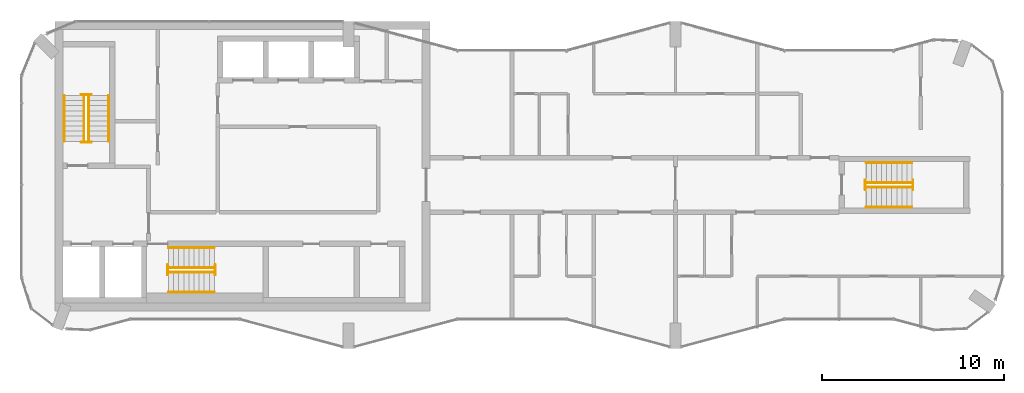
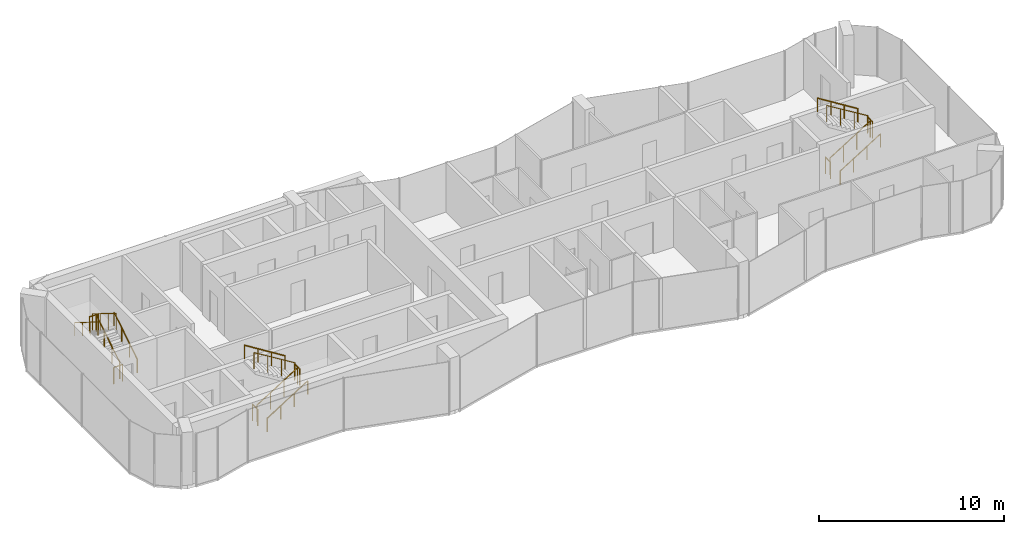
# One storey, part 10 of 10: 18 railings.
"""IFC4 building model written with IfcOpenShell, lengths in metres."""

from ifc_helpers import new_model, si_unit, direction, frame, origin, origin_2d, place, context, subcontext, project, spatial, circle, extrude, material, type_object, element, save


model = new_model("IFC4")

# Units and contexts
model_context = context("Model", 3, precision=1e-05, world=origin(), true_north=direction((0.0, 1.0)))
body_context = subcontext(model_context, "Body", "Model", "MODEL_VIEW")
ifc_project = project(units=[si_unit("LENGTHUNIT", "METRE"), si_unit("AREAUNIT", "SQUARE_METRE"), si_unit("VOLUMEUNIT", "CUBIC_METRE"), si_unit("PLANEANGLEUNIT", "RADIAN"), si_unit("MASSUNIT", "GRAM", prefix="KILO")], contexts=[model_context])

# Site, building, storey
site_placement = place(None, origin())
site = spatial("IfcSite", under=ifc_project, at=site_placement, CompositionType="ELEMENT")
building_placement = place(site_placement, origin())
building = spatial("IfcBuilding", under=site, at=building_placement, Name="Plateau Cross Towers", CompositionType="ELEMENT")
storey_placement = place(building_placement, frame((0.0, 0.0, 277.39990234375)))
storey = spatial("IfcBuildingStorey", under=building, at=storey_placement, Name="L73", CompositionType="ELEMENT", Elevation=277.39990234375)

# Railings
ifc_material_1 = material(Name="Stainless steel and toughened glass", Category="steel")
railing_type_1 = type_object("IfcRailingType", Name="RL-GUARD-1100", PredefinedType="GUARDRAIL", material=ifc_material_1)
railing_1_placement = place(storey_placement, frame((3.699951171875, 11.39990234375, 0.175048828125)))
element("IfcRailing", 1, at=railing_1_placement, inside=storey, type_object=railing_type_1, Name="L73 ST-1 stair guard 1", PredefinedType="GUARDRAIL", context=body_context, shape_type="SweptSolid", body=[
    extrude(circle(Radius=0.02392578125, at=origin_2d()), frame((0.0, 0.0, 1.076171875), z_axis=(0.0, 0.848007534815, 0.529984170421), x_axis=(-1.0, 0.0, 0.0)), (0.0, 0.0, 1.0), 2.9716796875),
    extrude(circle(Radius=0.02099609375, at=origin_2d()), origin(), (0.0, 0.0, 1.0), 1.052001953125),
    extrude(circle(Radius=0.02099609375, at=origin_2d()), frame((0.0, 0.840087890625, 0.52490234375)), (0.0, 0.0, 1.0), 1.052001953125),
    extrude(circle(Radius=0.02099609375, at=origin_2d()), frame((0.0, 1.679931640625, 1.050048828125)), (0.0, 0.0, 1.0), 1.052001953125),
    extrude(circle(Radius=0.02099609375, at=origin_2d()), frame((0.0, 2.52001953125, 1.574951171875)), (0.0, 0.0, 1.0), 1.052001953125),
])
railing_2_placement = place(storey_placement, frame((3.85009765625, 13.969970703125, 1.75)))
element("IfcRailing", 2, at=railing_2_placement, inside=storey, type_object=railing_type_1, Name="L73 ST-1 stair guard 2", PredefinedType="GUARDRAIL", context=body_context, shape_type="SweptSolid", body=[
    extrude(circle(Radius=0.02392578125, at=origin_2d()), frame((0.0, 0.0, 1.076171875), z_axis=(-1.0, 0.0, 0.0), x_axis=(0.0, -1.0, 0.0)), (0.0, 0.0, 1.0), 0.550048828125),
    extrude(circle(Radius=0.02099609375, at=origin_2d()), origin(), (0.0, 0.0, 1.0), 1.052001953125),
    extrude(circle(Radius=0.02099609375, at=origin_2d()), frame((-0.550048828125, 0.0, 0.0)), (0.0, 0.0, 1.0), 1.052001953125),
])
railing_3_placement = place(storey_placement, frame((3.449951171875, 13.919921875, 1.925048828125)))
element("IfcRailing", 3, at=railing_3_placement, inside=storey, type_object=railing_type_1, Name="L73 ST-1 stair guard 3", PredefinedType="GUARDRAIL", context=body_context, shape_type="SweptSolid", body=[
    extrude(circle(Radius=0.02392578125, at=origin_2d()), frame((0.0, 0.0, 1.076171875), z_axis=(0.0, -0.852616386126, 0.522537365276), x_axis=(1.0, 0.0, 0.0)), (0.0, 0.0, 1.0), 3.01416015625),
    extrude(circle(Radius=0.02099609375, at=origin_2d()), origin(), (0.0, 0.0, 1.0), 1.052001953125),
    extrude(circle(Radius=0.02099609375, at=origin_2d()), frame((0.0, -0.856689453125, 0.52490234375)), (0.0, 0.0, 1.0), 1.052001953125),
    extrude(circle(Radius=0.02099609375, at=origin_2d()), frame((0.0, -1.713134765625, 1.050048828125)), (0.0, 0.0, 1.0), 1.052001953125),
    extrude(circle(Radius=0.02099609375, at=origin_2d()), frame((0.0, -2.56982421875, 1.574951171875)), (0.0, 0.0, 1.0), 1.052001953125),
])
railing_4_placement = place(storey_placement, frame((3.85009765625, 11.35009765625, 0.0)))
element("IfcRailing", 4, at=railing_4_placement, inside=storey, type_object=railing_type_1, Name="L73 ST-1 stair guard 4", PredefinedType="GUARDRAIL", context=body_context, shape_type="SweptSolid", body=[
    extrude(circle(Radius=0.02392578125, at=origin_2d()), frame((0.0, 0.0, 1.076171875), z_axis=(-1.0, 0.0, 0.0), x_axis=(0.0, -1.0, 0.0)), (0.0, 0.0, 1.0), 0.550048828125),
    extrude(circle(Radius=0.02099609375, at=origin_2d()), origin(), (0.0, 0.0, 1.0), 1.052001953125),
    extrude(circle(Radius=0.02099609375, at=origin_2d()), frame((-0.550048828125, 0.0, 0.0)), (0.0, 0.0, 1.0), 1.052001953125),
])
railing_5_placement = place(storey_placement, frame((8.10009765625, 4.199951171875, 0.175048828125)))
element("IfcRailing", 5, at=railing_5_placement, inside=storey, type_object=railing_type_1, Name="L73 ST-2 stair guard 1", PredefinedType="GUARDRAIL", context=body_context, shape_type="SweptSolid", body=[
    extrude(circle(Radius=0.02392578125, at=origin_2d()), frame((0.0, 0.0, 1.076171875), z_axis=(0.848007534815, 0.0, 0.529984170421), x_axis=(0.0, 1.0, 0.0)), (0.0, 0.0, 1.0), 2.9716796875),
    extrude(circle(Radius=0.02099609375, at=origin_2d()), origin(), (0.0, 0.0, 1.0), 1.052001953125),
    extrude(circle(Radius=0.02099609375, at=origin_2d()), frame((0.840087890625, 0.0, 0.52490234375)), (0.0, 0.0, 1.0), 1.052001953125),
    extrude(circle(Radius=0.02099609375, at=origin_2d()), frame((1.679931640625, 0.0, 1.050048828125)), (0.0, 0.0, 1.0), 1.052001953125),
    extrude(circle(Radius=0.02099609375, at=origin_2d()), frame((2.52001953125, 0.0, 1.574951171875)), (0.0, 0.0, 1.0), 1.052001953125),
])
railing_6_placement = place(storey_placement, frame((10.669921875, 4.050048828125, 1.75)))
element("IfcRailing", 6, at=railing_6_placement, inside=storey, type_object=railing_type_1, Name="L73 ST-2 stair guard 2", PredefinedType="GUARDRAIL", context=body_context, shape_type="SweptSolid", body=[
    extrude(circle(Radius=0.02392578125, at=origin_2d()), frame((0.0, 0.0, 1.076171875), z_axis=(0.0, 1.0, 0.0), x_axis=(-1.0, 0.0, 0.0)), (0.0, 0.0, 1.0), 0.550048828125),
    extrude(circle(Radius=0.02099609375, at=origin_2d()), origin(), (0.0, 0.0, 1.0), 1.052001953125),
    extrude(circle(Radius=0.02099609375, at=origin_2d()), frame((0.0, 0.550048828125, 0.0)), (0.0, 0.0, 1.0), 1.052001953125),
])
railing_7_placement = place(storey_placement, frame((10.6201171875, 4.449951171875, 1.925048828125)))
element("IfcRailing", 7, at=railing_7_placement, inside=storey, type_object=railing_type_1, Name="L73 ST-2 stair guard 3", PredefinedType="GUARDRAIL", context=body_context, shape_type="SweptSolid", body=[
    extrude(circle(Radius=0.02392578125, at=origin_2d()), frame((0.0, 0.0, 1.076171875), z_axis=(-0.852638500773, 0.0, 0.522501279423), x_axis=(0.0, -1.0, 0.0)), (0.0, 0.0, 1.0), 3.01416015625),
    extrude(circle(Radius=0.02099609375, at=origin_2d()), origin(), (0.0, 0.0, 1.0), 1.052001953125),
    extrude(circle(Radius=0.02099609375, at=origin_2d()), frame((-0.856689453125, 0.0, 0.52490234375)), (0.0, 0.0, 1.0), 1.052001953125),
    extrude(circle(Radius=0.02099609375, at=origin_2d()), frame((-1.71337890625, 0.0, 1.050048828125)), (0.0, 0.0, 1.0), 1.052001953125),
    extrude(circle(Radius=0.02099609375, at=origin_2d()), frame((-2.570068359375, 0.0, 1.574951171875)), (0.0, 0.0, 1.0), 1.052001953125),
])
railing_8_placement = place(storey_placement, frame((8.050048828125, 4.050048828125, 0.0)))
element("IfcRailing", 8, at=railing_8_placement, inside=storey, type_object=railing_type_1, Name="L73 ST-2 stair guard 4", PredefinedType="GUARDRAIL", context=body_context, shape_type="SweptSolid", body=[
    extrude(circle(Radius=0.02392578125, at=origin_2d()), frame((0.0, 0.0, 1.076171875), z_axis=(0.0, 1.0, 0.0), x_axis=(-1.0, 0.0, 0.0)), (0.0, 0.0, 1.0), 0.550048828125),
    extrude(circle(Radius=0.02099609375, at=origin_2d()), origin(), (0.0, 0.0, 1.0), 1.052001953125),
    extrude(circle(Radius=0.02099609375, at=origin_2d()), frame((0.0, 0.550048828125, 0.0)), (0.0, 0.0, 1.0), 1.052001953125),
])
railing_9_placement = place(storey_placement, frame((46.5, 8.875, 0.175048828125)))
element("IfcRailing", 9, at=railing_9_placement, inside=storey, type_object=railing_type_1, Name="L73 ES-E stair guard 1", PredefinedType="GUARDRAIL", context=body_context, shape_type="SweptSolid", body=[
    extrude(circle(Radius=0.02392578125, at=origin_2d()), frame((0.0, 0.0, 1.076171875), z_axis=(0.848007534815, 0.0, 0.529984170421), x_axis=(0.0, 1.0, 0.0)), (0.0, 0.0, 1.0), 2.9716796875),
    extrude(circle(Radius=0.02099609375, at=origin_2d()), origin(), (0.0, 0.0, 1.0), 1.052001953125),
    extrude(circle(Radius=0.02099609375, at=origin_2d()), frame((0.840087890625, 0.0, 0.52490234375)), (0.0, 0.0, 1.0), 1.052001953125),
    extrude(circle(Radius=0.02099609375, at=origin_2d()), frame((1.679931640625, 0.0, 1.050048828125)), (0.0, 0.0, 1.0), 1.052001953125),
    extrude(circle(Radius=0.02099609375, at=origin_2d()), frame((2.52001953125, 0.0, 1.574951171875)), (0.0, 0.0, 1.0), 1.052001953125),
])
railing_10_placement = place(storey_placement, frame((49.070068359375, 8.72509765625, 1.75)))
element("IfcRailing", 10, at=railing_10_placement, inside=storey, type_object=railing_type_1, Name="L73 ES-E stair guard 2", PredefinedType="GUARDRAIL", context=body_context, shape_type="SweptSolid", body=[
    extrude(circle(Radius=0.02392578125, at=origin_2d()), frame((0.0, 0.0, 1.076171875), z_axis=(0.0, 1.0, 0.0), x_axis=(-1.0, 0.0, 0.0)), (0.0, 0.0, 1.0), 0.5498046875),
    extrude(circle(Radius=0.02099609375, at=origin_2d()), origin(), (0.0, 0.0, 1.0), 1.052001953125),
    extrude(circle(Radius=0.02099609375, at=origin_2d()), frame((0.0, 0.5498046875, 0.0)), (0.0, 0.0, 1.0), 1.052001953125),
])
railing_11_placement = place(storey_placement, frame((49.02001953125, 9.125, 1.925048828125)))
element("IfcRailing", 11, at=railing_11_placement, inside=storey, type_object=railing_type_1, Name="L73 ES-E stair guard 3", PredefinedType="GUARDRAIL", context=body_context, shape_type="SweptSolid", body=[
    extrude(circle(Radius=0.02392578125, at=origin_2d()), frame((0.0, 0.0, 1.076171875), z_axis=(-0.852638500773, 0.0, 0.522501279423), x_axis=(0.0, -1.0, 0.0)), (0.0, 0.0, 1.0), 3.01416015625),
    extrude(circle(Radius=0.02099609375, at=origin_2d()), origin(), (0.0, 0.0, 1.0), 1.052001953125),
    extrude(circle(Radius=0.02099609375, at=origin_2d()), frame((-0.856689453125, 0.0, 0.52490234375)), (0.0, 0.0, 1.0), 1.052001953125),
    extrude(circle(Radius=0.02099609375, at=origin_2d()), frame((-1.71337890625, 0.0, 1.050048828125)), (0.0, 0.0, 1.0), 1.052001953125),
    extrude(circle(Radius=0.02099609375, at=origin_2d()), frame((-2.570068359375, 0.0, 1.574951171875)), (0.0, 0.0, 1.0), 1.052001953125),
])
railing_12_placement = place(storey_placement, frame((46.449951171875, 8.72509765625, 0.0)))
element("IfcRailing", 12, at=railing_12_placement, inside=storey, type_object=railing_type_1, Name="L73 ES-E stair guard 4", PredefinedType="GUARDRAIL", context=body_context, shape_type="SweptSolid", body=[
    extrude(circle(Radius=0.02392578125, at=origin_2d()), frame((0.0, 0.0, 1.076171875), z_axis=(0.0, 1.0, 0.0), x_axis=(-1.0, 0.0, 0.0)), (0.0, 0.0, 1.0), 0.5498046875),
    extrude(circle(Radius=0.02099609375, at=origin_2d()), origin(), (0.0, 0.0, 1.0), 1.052001953125),
    extrude(circle(Radius=0.02099609375, at=origin_2d()), frame((0.0, 0.5498046875, 0.0)), (0.0, 0.0, 1.0), 1.052001953125),
])
ifc_material_2 = material(Name="Black anodised aluminium", Category="aluminium")
railing_type_2 = type_object("IfcRailingType", Name="RL-HANDRAIL-900", PredefinedType="HANDRAIL", material=ifc_material_2)
railing_13_placement = place(storey_placement, frame((4.800048828125, 11.39990234375, 0.175048828125)))
element("IfcRailing", 13, at=railing_13_placement, inside=storey, type_object=railing_type_2, Name="L73 ST-1 stair handrail 1", PredefinedType="HANDRAIL", context=body_context, shape_type="SweptSolid", body=[
    extrude(circle(Radius=0.02392578125, at=origin_2d()), frame((0.0, 0.0, 0.8759765625), z_axis=(0.0, 0.848007534815, 0.529984170421), x_axis=(-1.0, 0.0, 0.0)), (0.0, 0.0, 1.0), 2.9716796875),
    extrude(circle(Radius=0.02099609375, at=origin_2d()), origin(), (0.0, 0.0, 1.0), 0.851806640625),
    extrude(circle(Radius=0.02099609375, at=origin_2d()), frame((0.0, 0.840087890625, 0.52490234375)), (0.0, 0.0, 1.0), 0.851806640625),
    extrude(circle(Radius=0.02099609375, at=origin_2d()), frame((0.0, 1.679931640625, 1.050048828125)), (0.0, 0.0, 1.0), 0.851806640625),
    extrude(circle(Radius=0.02099609375, at=origin_2d()), frame((0.0, 2.52001953125, 1.574951171875)), (0.0, 0.0, 1.0), 0.851806640625),
])
railing_14_placement = place(storey_placement, frame((2.35009765625, 13.919921875, 1.925048828125)))
element("IfcRailing", 14, at=railing_14_placement, inside=storey, type_object=railing_type_2, Name="L73 ST-1 stair handrail 2", PredefinedType="HANDRAIL", context=body_context, shape_type="SweptSolid", body=[
    extrude(circle(Radius=0.02392578125, at=origin_2d()), frame((0.0, 0.0, 0.8759765625), z_axis=(0.0, -0.848007534815, 0.529984170421), x_axis=(1.0, 0.0, 0.0)), (0.0, 0.0, 1.0), 2.9716796875),
    extrude(circle(Radius=0.02099609375, at=origin_2d()), origin(), (0.0, 0.0, 1.0), 0.851806640625),
    extrude(circle(Radius=0.02099609375, at=origin_2d()), frame((0.0, -0.840087890625, 0.52490234375)), (0.0, 0.0, 1.0), 0.851806640625),
    extrude(circle(Radius=0.02099609375, at=origin_2d()), frame((0.0, -1.679931640625, 1.050048828125)), (0.0, 0.0, 1.0), 0.851806640625),
    extrude(circle(Radius=0.02099609375, at=origin_2d()), frame((0.0, -2.52001953125, 1.574951171875)), (0.0, 0.0, 1.0), 0.851806640625),
])
railing_15_placement = place(storey_placement, frame((8.10009765625, 3.10009765625, 0.175048828125)))
element("IfcRailing", 15, at=railing_15_placement, inside=storey, type_object=railing_type_2, Name="L73 ST-2 stair handrail 1", PredefinedType="HANDRAIL", context=body_context, shape_type="SweptSolid", body=[
    extrude(circle(Radius=0.02392578125, at=origin_2d()), frame((0.0, 0.0, 0.8759765625), z_axis=(0.848007534815, 0.0, 0.529984170421), x_axis=(0.0, 1.0, 0.0)), (0.0, 0.0, 1.0), 2.9716796875),
    extrude(circle(Radius=0.02099609375, at=origin_2d()), origin(), (0.0, 0.0, 1.0), 0.851806640625),
    extrude(circle(Radius=0.02099609375, at=origin_2d()), frame((0.840087890625, 0.0, 0.52490234375)), (0.0, 0.0, 1.0), 0.851806640625),
    extrude(circle(Radius=0.02099609375, at=origin_2d()), frame((1.679931640625, 0.0, 1.050048828125)), (0.0, 0.0, 1.0), 0.851806640625),
    extrude(circle(Radius=0.02099609375, at=origin_2d()), frame((2.52001953125, 0.0, 1.574951171875)), (0.0, 0.0, 1.0), 0.851806640625),
])
railing_16_placement = place(storey_placement, frame((10.6201171875, 5.550048828125, 1.925048828125)))
element("IfcRailing", 16, at=railing_16_placement, inside=storey, type_object=railing_type_2, Name="L73 ST-2 stair handrail 2", PredefinedType="HANDRAIL", context=body_context, shape_type="SweptSolid", body=[
    extrude(circle(Radius=0.02392578125, at=origin_2d()), frame((0.0, 0.0, 0.8759765625), z_axis=(-0.848007534815, 0.0, 0.529984170421), x_axis=(0.0, -1.0, 0.0)), (0.0, 0.0, 1.0), 2.9716796875),
    extrude(circle(Radius=0.02099609375, at=origin_2d()), origin(), (0.0, 0.0, 1.0), 0.851806640625),
    extrude(circle(Radius=0.02099609375, at=origin_2d()), frame((-0.840087890625, 0.0, 0.52490234375)), (0.0, 0.0, 1.0), 0.851806640625),
    extrude(circle(Radius=0.02099609375, at=origin_2d()), frame((-1.679931640625, 0.0, 1.050048828125)), (0.0, 0.0, 1.0), 0.851806640625),
    extrude(circle(Radius=0.02099609375, at=origin_2d()), frame((-2.52001953125, 0.0, 1.574951171875)), (0.0, 0.0, 1.0), 0.851806640625),
])
railing_17_placement = place(storey_placement, frame((46.5, 7.77490234375, 0.175048828125)))
element("IfcRailing", 17, at=railing_17_placement, inside=storey, type_object=railing_type_2, Name="L73 ES-E stair handrail 1", PredefinedType="HANDRAIL", context=body_context, shape_type="SweptSolid", body=[
    extrude(circle(Radius=0.02392578125, at=origin_2d()), frame((0.0, 0.0, 0.8759765625), z_axis=(0.848007534815, 0.0, 0.529984170421), x_axis=(0.0, 1.0, 0.0)), (0.0, 0.0, 1.0), 2.9716796875),
    extrude(circle(Radius=0.02099609375, at=origin_2d()), origin(), (0.0, 0.0, 1.0), 0.851806640625),
    extrude(circle(Radius=0.02099609375, at=origin_2d()), frame((0.840087890625, 0.0, 0.52490234375)), (0.0, 0.0, 1.0), 0.851806640625),
    extrude(circle(Radius=0.02099609375, at=origin_2d()), frame((1.679931640625, 0.0, 1.050048828125)), (0.0, 0.0, 1.0), 0.851806640625),
    extrude(circle(Radius=0.02099609375, at=origin_2d()), frame((2.52001953125, 0.0, 1.574951171875)), (0.0, 0.0, 1.0), 0.851806640625),
])
railing_18_placement = place(storey_placement, frame((49.02001953125, 10.22509765625, 1.925048828125)))
element("IfcRailing", 18, at=railing_18_placement, inside=storey, type_object=railing_type_2, Name="L73 ES-E stair handrail 2", PredefinedType="HANDRAIL", context=body_context, shape_type="SweptSolid", body=[
    extrude(circle(Radius=0.02392578125, at=origin_2d()), frame((0.0, 0.0, 0.8759765625), z_axis=(-0.848007534815, 0.0, 0.529984170421), x_axis=(0.0, -1.0, 0.0)), (0.0, 0.0, 1.0), 2.9716796875),
    extrude(circle(Radius=0.02099609375, at=origin_2d()), origin(), (0.0, 0.0, 1.0), 0.851806640625),
    extrude(circle(Radius=0.02099609375, at=origin_2d()), frame((-0.840087890625, 0.0, 0.52490234375)), (0.0, 0.0, 1.0), 0.851806640625),
    extrude(circle(Radius=0.02099609375, at=origin_2d()), frame((-1.679931640625, 0.0, 1.050048828125)), (0.0, 0.0, 1.0), 0.851806640625),
    extrude(circle(Radius=0.02099609375, at=origin_2d()), frame((-2.52001953125, 0.0, 1.574951171875)), (0.0, 0.0, 1.0), 0.851806640625),
])

save(model, "model.ifc")
